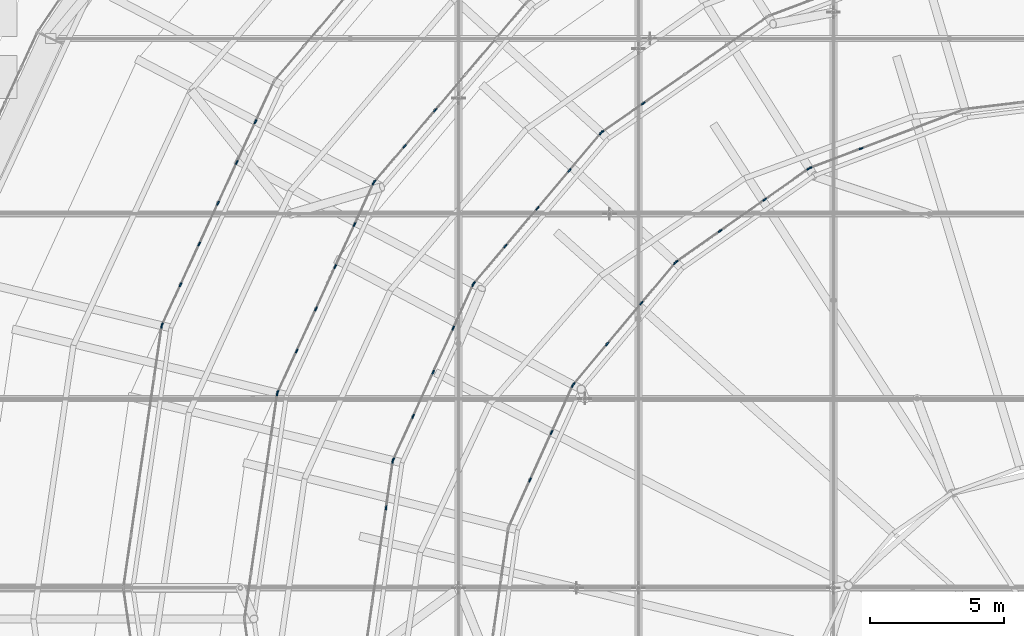
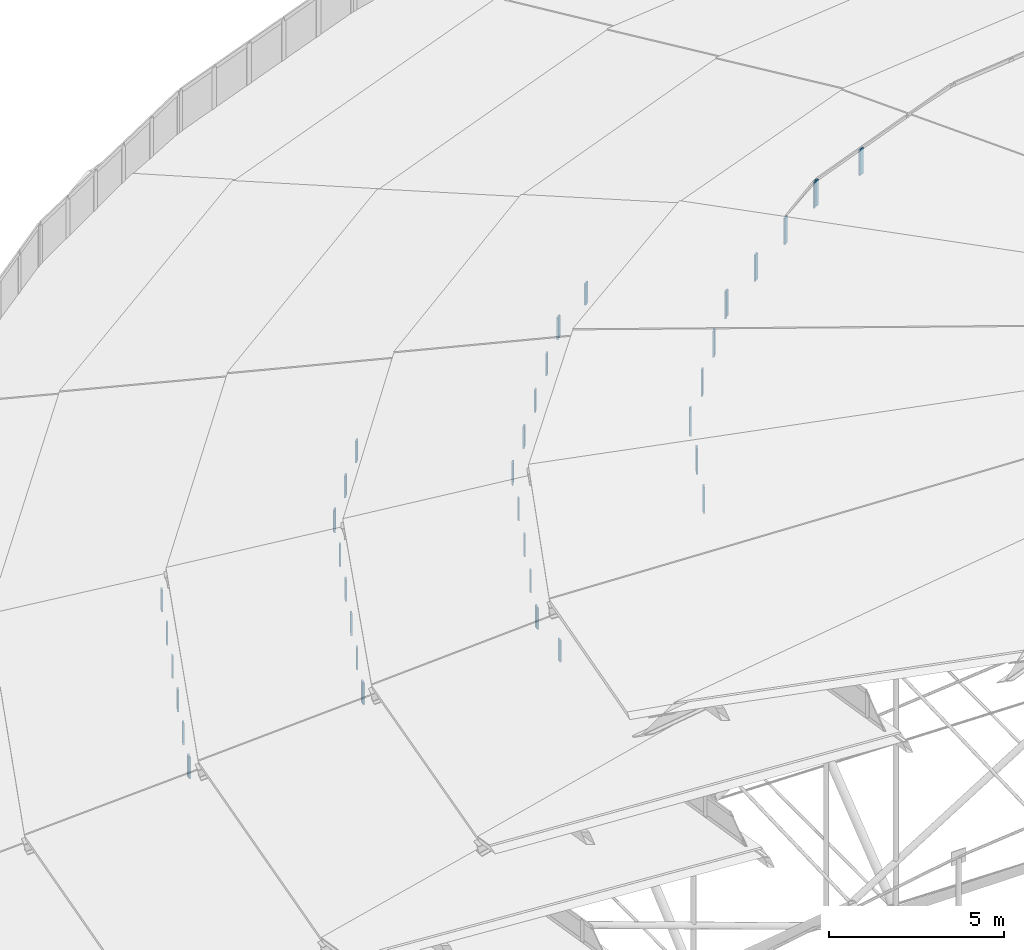
# One storey, part 130 of 173: 44 members, 13 elements without a shape of their own.
"""IFC4 building model written with IfcOpenShell, lengths in metres."""

from ifc_helpers import new_model, si_unit, direction, frame, origin, origin_2d, place, context, subcontext, project, spatial, rectangle, extrude, material, material_profile, profile_set, type_object, element, aggregate, save


model = new_model("IFC4")

# Units and contexts
model_context = context("Model", 3, precision=1e-05, world=origin(), true_north=direction((0.0, 1.0)))
body_context = subcontext(model_context, "Body", "Model", "MODEL_VIEW")
ifc_project = project(units=[si_unit("LENGTHUNIT", "METRE"), si_unit("AREAUNIT", "SQUARE_METRE"), si_unit("VOLUMEUNIT", "CUBIC_METRE"), si_unit("PLANEANGLEUNIT", "RADIAN"), si_unit("MASSUNIT", "GRAM", prefix="KILO")], contexts=[model_context])

# Site, building, storey
site_placement = place(None, origin())
site = spatial("IfcSite", under=ifc_project, at=site_placement, CompositionType="ELEMENT")
building_placement = place(site_placement, origin())
building = spatial("IfcBuilding", under=site, at=building_placement, Name="Glasvene Arena", CompositionType="ELEMENT")
storey_placement = place(building_placement, frame((0.0, 0.0, 28.800048828125)))
storey = spatial("IfcBuildingStorey", under=building, at=storey_placement, Name="RF", CompositionType="ELEMENT", Elevation=28.800048828125)

# Curtain wall, members
ifc_material_1 = material(Name="Low-emissivity laminated double glazing", Category="glass")
curtain_wall_type_1 = type_object("IfcCurtainWallType", Name="CW-PET1-1001x75", PredefinedType="USERDEFINED", material=ifc_material_1)
curtain_wall_1_placement = place(storey_placement, frame((55.7568359375, 91.85009765625, 0.0)))
curtain_wall_1 = element("IfcCurtainWall", 1, at=curtain_wall_1_placement, inside=storey, type_object=curtain_wall_type_1, Name="Petal ring 1-2 clerestory curtain wall 11", ObjectType="CURTAIN WALL", PredefinedType="USERDEFINED")
ifc_material_2 = material(Name="Anodised architectural aluminium", Category="aluminium")
ifc_material_profile = material_profile(ifc_material_2, rectangle(XDim=0.050048828125, YDim=0.159912109375, at=origin_2d()), Name="ALU MULLION 50x160")
ifc_profile_set = profile_set([ifc_material_profile], Name="Anodised architectural aluminium")
member_type = type_object("IfcMemberType", Name="CW-MUL-150", PredefinedType="MULLION", material=ifc_profile_set)
member_1_placement = place(storey_placement, frame((55.06005859375, 90.33447265625, 2.579833984375), z_axis=(0.0, 0.0, 1.0), x_axis=(0.908556831634, -0.41776127596, 0.0)))
member_1 = element("IfcMember", 2, at=member_1_placement, type_object=member_type, Name="CW-082 mullion 2", PredefinedType="MULLION", context=body_context, shape_type="SweptSolid", body=[
    extrude(rectangle(XDim=0.050048828125, YDim=0.159912109375, at=origin_2d()), origin(), (0.0, 0.0, 1.0), 0.75),
])
member_2_placement = place(storey_placement, frame((54.36328125, 88.819091796875, 2.579833984375), z_axis=(0.0, 0.0, 1.0), x_axis=(0.908556831634, -0.41776127596, 0.0)))
member_2 = element("IfcMember", 3, at=member_2_placement, type_object=member_type, Name="CW-082 mullion 3", PredefinedType="MULLION", context=body_context, shape_type="SweptSolid", body=[
    extrude(rectangle(XDim=0.050048828125, YDim=0.159912109375, at=origin_2d()), origin(), (0.0, 0.0, 1.0), 0.75),
])
member_3_placement = place(storey_placement, frame((53.66650390625, 87.3037109375, 2.579833984375), z_axis=(0.0, 0.0, 1.0), x_axis=(0.908556831634, -0.41776127596, 0.0)))
member_3 = element("IfcMember", 4, at=member_3_placement, type_object=member_type, Name="CW-082 mullion 4", PredefinedType="MULLION", context=body_context, shape_type="SweptSolid", body=[
    extrude(rectangle(XDim=0.050048828125, YDim=0.159912109375, at=origin_2d()), origin(), (0.0, 0.0, 1.0), 0.75),
])
member_4_placement = place(storey_placement, frame((52.969482421875, 85.788330078125, 2.579833984375), z_axis=(0.0, 0.0, 1.0), x_axis=(0.908556831634, -0.41776127596, 0.0)))
member_4 = element("IfcMember", 5, at=member_4_placement, type_object=member_type, Name="CW-082 mullion 5", PredefinedType="MULLION", context=body_context, shape_type="SweptSolid", body=[
    extrude(rectangle(XDim=0.050048828125, YDim=0.159912109375, at=origin_2d()), origin(), (0.0, 0.0, 1.0), 0.75),
])
member_5_placement = place(storey_placement, frame((52.272705078125, 84.27294921875, 2.579833984375), z_axis=(0.0, 0.0, 1.0), x_axis=(0.908556831634, -0.41776127596, 0.0)))
member_5 = element("IfcMember", 6, at=member_5_placement, type_object=member_type, Name="CW-082 mullion 6", PredefinedType="MULLION", context=body_context, shape_type="SweptSolid", body=[
    extrude(rectangle(XDim=0.050048828125, YDim=0.159912109375, at=origin_2d()), origin(), (0.0, 0.0, 1.0), 0.75),
])
member_6_placement = place(storey_placement, frame((51.58642578125, 82.7802734375, 2.579833984375), z_axis=(0.0, 0.0, 1.0), x_axis=(0.908556831634, -0.41776127596, 0.0)))
member_6 = element("IfcMember", 7, at=member_6_placement, type_object=member_type, Name="CW-082 mullion 7", PredefinedType="MULLION", context=body_context, shape_type="SweptSolid", body=[
    extrude(rectangle(XDim=0.050048828125, YDim=0.159912109375, at=origin_2d()), origin(), (0.0, 0.0, 1.0), 0.75),
])
aggregate(curtain_wall_1, [member_1, member_2, member_3, member_4, member_5, member_6])

# Curtain wall, member
curtain_wall_type_2 = type_object("IfcCurtainWallType", Name="CW-PET1-986x75", PredefinedType="USERDEFINED", material=ifc_material_1)
curtain_wall_2_placement = place(storey_placement, frame((51.575927734375, 82.757568359375, 0.0)))
curtain_wall_2 = element("IfcCurtainWall", 8, at=curtain_wall_2_placement, inside=storey, type_object=curtain_wall_type_2, Name="Petal ring 1-2 clerestory curtain wall 12", ObjectType="CURTAIN WALL", PredefinedType="USERDEFINED")
member_7_placement = place(storey_placement, frame((51.572265625, 82.732666015625, 2.579833984375), z_axis=(0.0, 0.0, 1.0), x_axis=(0.989489040641, -0.144607878249, 0.0)))
member_7 = element("IfcMember", 9, at=member_7_placement, type_object=member_type, Name="CW-081 mullion 1", PredefinedType="MULLION", context=body_context, shape_type="SweptSolid", body=[
    extrude(rectangle(XDim=0.050048828125, YDim=0.159912109375, at=origin_2d()), origin(), (0.0, 0.0, 1.0), 0.75),
])
aggregate(curtain_wall_2, [member_7])

# Curtain wall, members
curtain_wall_type_3 = type_object("IfcCurtainWallType", Name="CW-PET2-882x75", PredefinedType="USERDEFINED", material=ifc_material_1)
curtain_wall_3_placement = place(storey_placement, frame((65.164794921875, 94.795654296875, 0.0)))
curtain_wall_3 = element("IfcCurtainWall", 10, at=curtain_wall_3_placement, inside=storey, type_object=curtain_wall_type_3, Name="Petal ring 2-3 clerestory curtain wall 10", ObjectType="CURTAIN WALL", PredefinedType="USERDEFINED")
member_8_placement = place(storey_placement, frame((61.74169921875, 90.76318359375, 5.179931640625), z_axis=(0.0, 0.0, 1.0), x_axis=(0.762348353305, -0.647166893632, 0.0)))
member_8 = element("IfcMember", 11, at=member_8_placement, type_object=member_type, Name="CW-089 mullion 4", PredefinedType="MULLION", context=body_context, shape_type="SweptSolid", body=[
    extrude(rectangle(XDim=0.050048828125, YDim=0.159912109375, at=origin_2d()), origin(), (0.0, 0.0, 1.0), 0.75),
])
member_9_placement = place(storey_placement, frame((60.600830078125, 89.419189453125, 5.179931640625), z_axis=(0.0, 0.0, 1.0), x_axis=(0.762348353305, -0.647166893632, 0.0)))
member_9 = element("IfcMember", 12, at=member_9_placement, type_object=member_type, Name="CW-089 mullion 5", PredefinedType="MULLION", context=body_context, shape_type="SweptSolid", body=[
    extrude(rectangle(XDim=0.050048828125, YDim=0.159912109375, at=origin_2d()), origin(), (0.0, 0.0, 1.0), 0.75),
])
member_10_placement = place(storey_placement, frame((59.475830078125, 88.093994140625, 5.179931640625), z_axis=(0.0, 0.0, 1.0), x_axis=(0.762348353305, -0.647166893632, 0.0)))
member_10 = element("IfcMember", 13, at=member_10_placement, type_object=member_type, Name="CW-089 mullion 6", PredefinedType="MULLION", context=body_context, shape_type="SweptSolid", body=[
    extrude(rectangle(XDim=0.050048828125, YDim=0.159912109375, at=origin_2d()), origin(), (0.0, 0.0, 1.0), 0.75),
])
aggregate(curtain_wall_3, [member_8, member_9, member_10])

curtain_wall_type_4 = type_object("IfcCurtainWallType", Name="CW-PET2-861x75", PredefinedType="USERDEFINED", material=ifc_material_1)
curtain_wall_4_placement = place(storey_placement, frame((59.459716796875, 88.074951171875, 0.0)))
curtain_wall_4 = element("IfcCurtainWall", 14, at=curtain_wall_4_placement, inside=storey, type_object=curtain_wall_type_4, Name="Petal ring 2-3 clerestory curtain wall 11", ObjectType="CURTAIN WALL", PredefinedType="USERDEFINED")
member_11_placement = place(storey_placement, frame((59.44921875, 88.05224609375, 5.179931640625), z_axis=(0.0, 0.0, 1.0), x_axis=(0.909093602111, -0.416591913749, 0.0)))
member_11 = element("IfcMember", 15, at=member_11_placement, type_object=member_type, Name="CW-088 mullion 1", PredefinedType="MULLION", context=body_context, shape_type="SweptSolid", body=[
    extrude(rectangle(XDim=0.050048828125, YDim=0.159912109375, at=origin_2d()), origin(), (0.0, 0.0, 1.0), 0.75),
])
member_12_placement = place(storey_placement, frame((58.742431640625, 86.509765625, 5.179931640625), z_axis=(0.0, 0.0, 1.0), x_axis=(0.909093602111, -0.416591913749, 0.0)))
member_12 = element("IfcMember", 16, at=member_12_placement, type_object=member_type, Name="CW-088 mullion 2", PredefinedType="MULLION", context=body_context, shape_type="SweptSolid", body=[
    extrude(rectangle(XDim=0.050048828125, YDim=0.159912109375, at=origin_2d()), origin(), (0.0, 0.0, 1.0), 0.75),
])
member_13_placement = place(storey_placement, frame((58.025146484375, 84.944580078125, 5.179931640625), z_axis=(0.0, 0.0, 1.0), x_axis=(0.909093602111, -0.416591913749, 0.0)))
member_13 = element("IfcMember", 17, at=member_13_placement, type_object=member_type, Name="CW-088 mullion 3", PredefinedType="MULLION", context=body_context, shape_type="SweptSolid", body=[
    extrude(rectangle(XDim=0.050048828125, YDim=0.159912109375, at=origin_2d()), origin(), (0.0, 0.0, 1.0), 0.75),
])
member_14_placement = place(storey_placement, frame((57.307861328125, 83.379150390625, 5.179931640625), z_axis=(0.0, 0.0, 1.0), x_axis=(0.909093602111, -0.416591913749, 0.0)))
member_14 = element("IfcMember", 18, at=member_14_placement, type_object=member_type, Name="CW-088 mullion 4", PredefinedType="MULLION", context=body_context, shape_type="SweptSolid", body=[
    extrude(rectangle(XDim=0.050048828125, YDim=0.159912109375, at=origin_2d()), origin(), (0.0, 0.0, 1.0), 0.75),
])
member_15_placement = place(storey_placement, frame((56.590576171875, 81.81396484375, 5.179931640625), z_axis=(0.0, 0.0, 1.0), x_axis=(0.909093602111, -0.416591913749, 0.0)))
member_15 = element("IfcMember", 19, at=member_15_placement, type_object=member_type, Name="CW-088 mullion 5", PredefinedType="MULLION", context=body_context, shape_type="SweptSolid", body=[
    extrude(rectangle(XDim=0.050048828125, YDim=0.159912109375, at=origin_2d()), origin(), (0.0, 0.0, 1.0), 0.75),
])
member_16_placement = place(storey_placement, frame((55.8837890625, 80.271484375, 5.179931640625), z_axis=(0.0, 0.0, 1.0), x_axis=(0.909093602111, -0.416591913749, 0.0)))
member_16 = element("IfcMember", 20, at=member_16_placement, type_object=member_type, Name="CW-088 mullion 6", PredefinedType="MULLION", context=body_context, shape_type="SweptSolid", body=[
    extrude(rectangle(XDim=0.050048828125, YDim=0.159912109375, at=origin_2d()), origin(), (0.0, 0.0, 1.0), 0.75),
])
aggregate(curtain_wall_4, [member_11, member_12, member_13, member_14, member_15, member_16])

# Curtain wall, member
curtain_wall_type_5 = type_object("IfcCurtainWallType", Name="CW-PET2-849x75", PredefinedType="USERDEFINED", material=ifc_material_1)
curtain_wall_5_placement = place(storey_placement, frame((55.873291015625, 80.248779296875, 0.0)))
curtain_wall_5 = element("IfcCurtainWall", 21, at=curtain_wall_5_placement, inside=storey, type_object=curtain_wall_type_5, Name="Petal ring 2-3 clerestory curtain wall 12", ObjectType="CURTAIN WALL", PredefinedType="USERDEFINED")
member_17_placement = place(storey_placement, frame((55.86962890625, 80.223876953125, 5.179931640625), z_axis=(0.0, 0.0, 1.0), x_axis=(0.98955837799, -0.144132635268, 0.0)))
member_17 = element("IfcMember", 22, at=member_17_placement, type_object=member_type, Name="CW-087 mullion 1", PredefinedType="MULLION", context=body_context, shape_type="SweptSolid", body=[
    extrude(rectangle(XDim=0.050048828125, YDim=0.159912109375, at=origin_2d()), origin(), (0.0, 0.0, 1.0), 0.75),
])
aggregate(curtain_wall_5, [member_17])

# Curtain wall, members
curtain_wall_type_6 = type_object("IfcCurtainWallType", Name="CW-PET3-756x75", PredefinedType="USERDEFINED", material=ifc_material_1)
curtain_wall_6_placement = place(storey_placement, frame((74.125, 94.255859375, 0.0)))
curtain_wall_6 = element("IfcCurtainWall", 23, at=curtain_wall_6_placement, inside=storey, type_object=curtain_wall_type_6, Name="Petal ring 3-4 clerestory curtain wall 09", ObjectType="CURTAIN WALL", PredefinedType="USERDEFINED")
member_18_placement = place(storey_placement, frame((69.472900390625, 91.013916015625, 7.829833984375), z_axis=(0.0, 0.0, 1.0), x_axis=(0.571742483725, -0.82043313701, 0.0)))
member_18 = element("IfcMember", 24, at=member_18_placement, type_object=member_type, Name="CW-096 mullion 4", PredefinedType="MULLION", context=body_context, shape_type="SweptSolid", body=[
    extrude(rectangle(XDim=0.050048828125, YDim=0.159912109375, at=origin_2d()), origin(), (0.0, 0.0, 1.0), 0.75),
])
member_19_placement = place(storey_placement, frame((67.942626953125, 89.947509765625, 7.829833984375), z_axis=(0.0, 0.0, 1.0), x_axis=(0.571742483725, -0.82043313701, 0.0)))
member_19 = element("IfcMember", 25, at=member_19_placement, type_object=member_type, Name="CW-096 mullion 5", PredefinedType="MULLION", context=body_context, shape_type="SweptSolid", body=[
    extrude(rectangle(XDim=0.050048828125, YDim=0.159912109375, at=origin_2d()), origin(), (0.0, 0.0, 1.0), 0.75),
])
aggregate(curtain_wall_6, [member_18, member_19])

curtain_wall_type_7 = type_object("IfcCurtainWallType", Name="CW-PET3-737x75", PredefinedType="USERDEFINED", material=ifc_material_1)
curtain_wall_7_placement = place(storey_placement, frame((67.922119140625, 89.933349609375, 0.0)))
curtain_wall_7 = element("IfcCurtainWall", 26, at=curtain_wall_7_placement, inside=storey, type_object=curtain_wall_type_7, Name="Petal ring 3-4 clerestory curtain wall 10", ObjectType="CURTAIN WALL", PredefinedType="USERDEFINED")
member_20_placement = place(storey_placement, frame((67.906005859375, 89.914306640625, 7.829833984375), z_axis=(0.0, 0.0, 1.0), x_axis=(0.763850012044, -0.645393801566, 0.0)))
member_20 = element("IfcMember", 27, at=member_20_placement, type_object=member_type, Name="CW-095 mullion 1", PredefinedType="MULLION", context=body_context, shape_type="SweptSolid", body=[
    extrude(rectangle(XDim=0.050048828125, YDim=0.159912109375, at=origin_2d()), origin(), (0.0, 0.0, 1.0), 0.75),
])
member_21_placement = place(storey_placement, frame((66.732177734375, 88.52490234375, 7.829833984375), z_axis=(0.0, 0.0, 1.0), x_axis=(0.763850012044, -0.645393801566, 0.0)))
member_21 = element("IfcMember", 28, at=member_21_placement, type_object=member_type, Name="CW-095 mullion 2", PredefinedType="MULLION", context=body_context, shape_type="SweptSolid", body=[
    extrude(rectangle(XDim=0.050048828125, YDim=0.159912109375, at=origin_2d()), origin(), (0.0, 0.0, 1.0), 0.75),
])
member_22_placement = place(storey_placement, frame((65.542236328125, 87.11669921875, 7.829833984375), z_axis=(0.0, 0.0, 1.0), x_axis=(0.763850012044, -0.645393801566, 0.0)))
member_22 = element("IfcMember", 29, at=member_22_placement, type_object=member_type, Name="CW-095 mullion 3", PredefinedType="MULLION", context=body_context, shape_type="SweptSolid", body=[
    extrude(rectangle(XDim=0.050048828125, YDim=0.159912109375, at=origin_2d()), origin(), (0.0, 0.0, 1.0), 0.75),
])
member_23_placement = place(storey_placement, frame((64.3525390625, 85.708251953125, 7.829833984375), z_axis=(0.0, 0.0, 1.0), x_axis=(0.763850012044, -0.645393801566, 0.0)))
member_23 = element("IfcMember", 30, at=member_23_placement, type_object=member_type, Name="CW-095 mullion 4", PredefinedType="MULLION", context=body_context, shape_type="SweptSolid", body=[
    extrude(rectangle(XDim=0.050048828125, YDim=0.159912109375, at=origin_2d()), origin(), (0.0, 0.0, 1.0), 0.75),
])
member_24_placement = place(storey_placement, frame((63.1787109375, 84.319091796875, 7.829833984375), z_axis=(0.0, 0.0, 1.0), x_axis=(0.763850012044, -0.645393801566, 0.0)))
member_24 = element("IfcMember", 31, at=member_24_placement, type_object=member_type, Name="CW-095 mullion 5", PredefinedType="MULLION", context=body_context, shape_type="SweptSolid", body=[
    extrude(rectangle(XDim=0.050048828125, YDim=0.159912109375, at=origin_2d()), origin(), (0.0, 0.0, 1.0), 0.75),
])
aggregate(curtain_wall_7, [member_20, member_21, member_22, member_23, member_24])

curtain_wall_type_8 = type_object("IfcCurtainWallType", Name="CW-PET3-721x75", PredefinedType="USERDEFINED", material=ifc_material_1)
curtain_wall_8_placement = place(storey_placement, frame((63.16259765625, 84.300048828125, 0.0)))
curtain_wall_8 = element("IfcCurtainWall", 32, at=curtain_wall_8_placement, inside=storey, type_object=curtain_wall_type_8, Name="Petal ring 3-4 clerestory curtain wall 11", ObjectType="CURTAIN WALL", PredefinedType="USERDEFINED")
member_25_placement = place(storey_placement, frame((63.152099609375, 84.27734375, 7.829833984375), z_axis=(0.0, 0.0, 1.0), x_axis=(0.909836135842, -0.414967716717, 0.0)))
member_25 = element("IfcMember", 33, at=member_25_placement, type_object=member_type, Name="CW-094 mullion 1", PredefinedType="MULLION", context=body_context, shape_type="SweptSolid", body=[
    extrude(rectangle(XDim=0.050048828125, YDim=0.159912109375, at=origin_2d()), origin(), (0.0, 0.0, 1.0), 0.75),
])
member_26_placement = place(storey_placement, frame((62.41455078125, 82.659912109375, 7.829833984375), z_axis=(0.0, 0.0, 1.0), x_axis=(0.909836135842, -0.414967716717, 0.0)))
member_26 = element("IfcMember", 34, at=member_26_placement, type_object=member_type, Name="CW-094 mullion 2", PredefinedType="MULLION", context=body_context, shape_type="SweptSolid", body=[
    extrude(rectangle(XDim=0.050048828125, YDim=0.159912109375, at=origin_2d()), origin(), (0.0, 0.0, 1.0), 0.75),
])
member_27_placement = place(storey_placement, frame((61.66650390625, 81.02001953125, 7.829833984375), z_axis=(0.0, 0.0, 1.0), x_axis=(0.909836135842, -0.414967716717, 0.0)))
member_27 = element("IfcMember", 35, at=member_27_placement, type_object=member_type, Name="CW-094 mullion 3", PredefinedType="MULLION", context=body_context, shape_type="SweptSolid", body=[
    extrude(rectangle(XDim=0.050048828125, YDim=0.159912109375, at=origin_2d()), origin(), (0.0, 0.0, 1.0), 0.75),
])
member_28_placement = place(storey_placement, frame((60.91845703125, 79.3798828125, 7.829833984375), z_axis=(0.0, 0.0, 1.0), x_axis=(0.909836135842, -0.414967716717, 0.0)))
member_28 = element("IfcMember", 36, at=member_28_placement, type_object=member_type, Name="CW-094 mullion 4", PredefinedType="MULLION", context=body_context, shape_type="SweptSolid", body=[
    extrude(rectangle(XDim=0.050048828125, YDim=0.159912109375, at=origin_2d()), origin(), (0.0, 0.0, 1.0), 0.75),
])
member_29_placement = place(storey_placement, frame((60.180908203125, 77.7626953125, 7.829833984375), z_axis=(0.0, 0.0, 1.0), x_axis=(0.909836135842, -0.414967716717, 0.0)))
member_29 = element("IfcMember", 37, at=member_29_placement, type_object=member_type, Name="CW-094 mullion 5", PredefinedType="MULLION", context=body_context, shape_type="SweptSolid", body=[
    extrude(rectangle(XDim=0.050048828125, YDim=0.159912109375, at=origin_2d()), origin(), (0.0, 0.0, 1.0), 0.75),
])
aggregate(curtain_wall_8, [member_25, member_26, member_27, member_28, member_29])

curtain_wall_type_9 = type_object("IfcCurtainWallType", Name="CW-PET3-711x75", PredefinedType="USERDEFINED", material=ifc_material_1)
curtain_wall_9_placement = place(storey_placement, frame((60.17041015625, 77.739990234375, 0.0)))
curtain_wall_9 = element("IfcCurtainWall", 38, at=curtain_wall_9_placement, inside=storey, type_object=curtain_wall_type_9, Name="Petal ring 3-4 clerestory curtain wall 12", ObjectType="CURTAIN WALL", PredefinedType="USERDEFINED")
member_30_placement = place(storey_placement, frame((60.1669921875, 77.715087890625, 7.829833984375), z_axis=(0.0, 0.0, 1.0), x_axis=(0.989656115979, -0.143460001758, 0.0)))
member_30 = element("IfcMember", 39, at=member_30_placement, type_object=member_type, Name="CW-093 mullion 1", PredefinedType="MULLION", context=body_context, shape_type="SweptSolid", body=[
    extrude(rectangle(XDim=0.050048828125, YDim=0.159912109375, at=origin_2d()), origin(), (0.0, 0.0, 1.0), 0.75),
])
member_31_placement = place(storey_placement, frame((59.915283203125, 75.97998046875, 7.829833984375), z_axis=(0.0, 0.0, 1.0), x_axis=(0.989656115979, -0.143460001758, 0.0)))
member_31 = element("IfcMember", 40, at=member_31_placement, type_object=member_type, Name="CW-093 mullion 2", PredefinedType="MULLION", context=body_context, shape_type="SweptSolid", body=[
    extrude(rectangle(XDim=0.050048828125, YDim=0.159912109375, at=origin_2d()), origin(), (0.0, 0.0, 1.0), 0.75),
])
aggregate(curtain_wall_9, [member_30, member_31])

curtain_wall_type_10 = type_object("IfcCurtainWallType", Name="CW-PET4-619x92", PredefinedType="USERDEFINED", material=ifc_material_1)
curtain_wall_10_placement = place(storey_placement, frame((81.438232421875, 90.80029296875, 0.0)))
curtain_wall_10 = element("IfcCurtainWall", 41, at=curtain_wall_10_placement, inside=storey, type_object=curtain_wall_type_10, Name="Petal ring 4-5 clerestory curtain wall 08", ObjectType="CURTAIN WALL", PredefinedType="USERDEFINED")
member_32_placement = place(storey_placement, frame((77.579345703125, 89.335205078125, 10.530029296875), z_axis=(0.0, 0.0, 1.0), x_axis=(0.354970202415, -0.934877615197, 0.0)))
member_32 = element("IfcMember", 42, at=member_32_placement, type_object=member_type, Name="CW-103 mullion 3", PredefinedType="MULLION", context=body_context, shape_type="SweptSolid", body=[
    extrude(rectangle(XDim=0.050048828125, YDim=0.159912109375, at=origin_2d()), origin(), (0.0, 0.0, 1.0), 0.916015625),
])
member_33_placement = place(storey_placement, frame((75.67333984375, 88.611572265625, 10.530029296875), z_axis=(0.0, 0.0, 1.0), x_axis=(0.354970202415, -0.934877615197, 0.0)))
member_33 = element("IfcMember", 43, at=member_33_placement, type_object=member_type, Name="CW-103 mullion 4", PredefinedType="MULLION", context=body_context, shape_type="SweptSolid", body=[
    extrude(rectangle(XDim=0.050048828125, YDim=0.159912109375, at=origin_2d()), origin(), (0.0, 0.0, 1.0), 0.916015625),
])
aggregate(curtain_wall_10, [member_32, member_33])

curtain_wall_type_11 = type_object("IfcCurtainWallType", Name="CW-PET4-608x92", PredefinedType="USERDEFINED", material=ifc_material_1)
curtain_wall_11_placement = place(storey_placement, frame((75.64990234375, 88.6025390625, 0.0)))
curtain_wall_11 = element("IfcCurtainWall", 44, at=curtain_wall_11_placement, inside=storey, type_object=curtain_wall_type_11, Name="Petal ring 4-5 clerestory curtain wall 09", ObjectType="CURTAIN WALL", PredefinedType="USERDEFINED")
member_34_placement = place(storey_placement, frame((75.629638671875, 88.588134765625, 10.530029296875), z_axis=(0.0, 0.0, 1.0), x_axis=(0.575325052204, -0.817924864707, 0.0)))
member_34 = element("IfcMember", 45, at=member_34_placement, type_object=member_type, Name="CW-102 mullion 1", PredefinedType="MULLION", context=body_context, shape_type="SweptSolid", body=[
    extrude(rectangle(XDim=0.050048828125, YDim=0.159912109375, at=origin_2d()), origin(), (0.0, 0.0, 1.0), 0.916015625),
])
member_35_placement = place(storey_placement, frame((73.9931640625, 87.437255859375, 10.530029296875), z_axis=(0.0, 0.0, 1.0), x_axis=(0.575325052204, -0.817924864707, 0.0)))
member_35 = element("IfcMember", 46, at=member_35_placement, type_object=member_type, Name="CW-102 mullion 2", PredefinedType="MULLION", context=body_context, shape_type="SweptSolid", body=[
    extrude(rectangle(XDim=0.050048828125, YDim=0.159912109375, at=origin_2d()), origin(), (0.0, 0.0, 1.0), 0.916015625),
])
member_36_placement = place(storey_placement, frame((72.336181640625, 86.271728515625, 10.530029296875), z_axis=(0.0, 0.0, 1.0), x_axis=(0.575325052204, -0.817924864707, 0.0)))
member_36 = element("IfcMember", 47, at=member_36_placement, type_object=member_type, Name="CW-102 mullion 3", PredefinedType="MULLION", context=body_context, shape_type="SweptSolid", body=[
    extrude(rectangle(XDim=0.050048828125, YDim=0.159912109375, at=origin_2d()), origin(), (0.0, 0.0, 1.0), 0.916015625),
])
member_37_placement = place(storey_placement, frame((70.699951171875, 85.12060546875, 10.530029296875), z_axis=(0.0, 0.0, 1.0), x_axis=(0.575325052204, -0.817924864707, 0.0)))
member_37 = element("IfcMember", 48, at=member_37_placement, type_object=member_type, Name="CW-102 mullion 4", PredefinedType="MULLION", context=body_context, shape_type="SweptSolid", body=[
    extrude(rectangle(XDim=0.050048828125, YDim=0.159912109375, at=origin_2d()), origin(), (0.0, 0.0, 1.0), 0.916015625),
])
aggregate(curtain_wall_11, [member_34, member_35, member_36, member_37])

curtain_wall_type_12 = type_object("IfcCurtainWallType", Name="CW-PET4-594x92", PredefinedType="USERDEFINED", material=ifc_material_1)
curtain_wall_12_placement = place(storey_placement, frame((70.679443359375, 85.106201171875, 0.0)))
curtain_wall_12 = element("IfcCurtainWall", 49, at=curtain_wall_12_placement, inside=storey, type_object=curtain_wall_type_12, Name="Petal ring 4-5 clerestory curtain wall 10", ObjectType="CURTAIN WALL", PredefinedType="USERDEFINED")
member_38_placement = place(storey_placement, frame((70.663330078125, 85.087158203125, 10.530029296875), z_axis=(0.0, 0.0, 1.0), x_axis=(0.766805446496, -0.64187958935, 0.0)))
member_38 = element("IfcMember", 50, at=member_38_placement, type_object=member_type, Name="CW-101 mullion 1", PredefinedType="MULLION", context=body_context, shape_type="SweptSolid", body=[
    extrude(rectangle(XDim=0.050048828125, YDim=0.159912109375, at=origin_2d()), origin(), (0.0, 0.0, 1.0), 0.916015625),
])
member_39_placement = place(storey_placement, frame((69.407958984375, 83.587646484375, 10.530029296875), z_axis=(0.0, 0.0, 1.0), x_axis=(0.766805446496, -0.64187958935, 0.0)))
member_39 = element("IfcMember", 51, at=member_39_placement, type_object=member_type, Name="CW-101 mullion 2", PredefinedType="MULLION", context=body_context, shape_type="SweptSolid", body=[
    extrude(rectangle(XDim=0.050048828125, YDim=0.159912109375, at=origin_2d()), origin(), (0.0, 0.0, 1.0), 0.916015625),
])
member_40_placement = place(storey_placement, frame((68.13671875, 82.06884765625, 10.530029296875), z_axis=(0.0, 0.0, 1.0), x_axis=(0.766805446496, -0.64187958935, 0.0)))
member_40 = element("IfcMember", 52, at=member_40_placement, type_object=member_type, Name="CW-101 mullion 3", PredefinedType="MULLION", context=body_context, shape_type="SweptSolid", body=[
    extrude(rectangle(XDim=0.050048828125, YDim=0.159912109375, at=origin_2d()), origin(), (0.0, 0.0, 1.0), 0.916015625),
])
member_41_placement = place(storey_placement, frame((66.88134765625, 80.569091796875, 10.530029296875), z_axis=(0.0, 0.0, 1.0), x_axis=(0.766805446496, -0.64187958935, 0.0)))
member_41 = element("IfcMember", 53, at=member_41_placement, type_object=member_type, Name="CW-101 mullion 4", PredefinedType="MULLION", context=body_context, shape_type="SweptSolid", body=[
    extrude(rectangle(XDim=0.050048828125, YDim=0.159912109375, at=origin_2d()), origin(), (0.0, 0.0, 1.0), 0.916015625),
])
aggregate(curtain_wall_12, [member_38, member_39, member_40, member_41])

curtain_wall_type_13 = type_object("IfcCurtainWallType", Name="CW-PET4-582x92", PredefinedType="USERDEFINED", material=ifc_material_1)
curtain_wall_13_placement = place(storey_placement, frame((66.865478515625, 80.550048828125, 0.0)))
curtain_wall_13 = element("IfcCurtainWall", 54, at=curtain_wall_13_placement, inside=storey, type_object=curtain_wall_type_13, Name="Petal ring 4-5 clerestory curtain wall 11", ObjectType="CURTAIN WALL", PredefinedType="USERDEFINED")
member_42_placement = place(storey_placement, frame((66.855224609375, 80.527099609375, 10.530029296875), z_axis=(0.0, 0.0, 1.0), x_axis=(0.911284127649, -0.411778142566, 0.0)))
member_42 = element("IfcMember", 55, at=member_42_placement, type_object=member_type, Name="CW-100 mullion 1", PredefinedType="MULLION", context=body_context, shape_type="SweptSolid", body=[
    extrude(rectangle(XDim=0.050048828125, YDim=0.159912109375, at=origin_2d()), origin(), (0.0, 0.0, 1.0), 0.916015625),
])
member_43_placement = place(storey_placement, frame((66.066162109375, 78.78125, 10.530029296875), z_axis=(0.0, 0.0, 1.0), x_axis=(0.911284127649, -0.411778142566, 0.0)))
member_43 = element("IfcMember", 56, at=member_43_placement, type_object=member_type, Name="CW-100 mullion 2", PredefinedType="MULLION", context=body_context, shape_type="SweptSolid", body=[
    extrude(rectangle(XDim=0.050048828125, YDim=0.159912109375, at=origin_2d()), origin(), (0.0, 0.0, 1.0), 0.916015625),
])
member_44_placement = place(storey_placement, frame((65.26708984375, 77.0126953125, 10.530029296875), z_axis=(0.0, 0.0, 1.0), x_axis=(0.911284127649, -0.411778142566, 0.0)))
member_44 = element("IfcMember", 57, at=member_44_placement, type_object=member_type, Name="CW-100 mullion 3", PredefinedType="MULLION", context=body_context, shape_type="SweptSolid", body=[
    extrude(rectangle(XDim=0.050048828125, YDim=0.159912109375, at=origin_2d()), origin(), (0.0, 0.0, 1.0), 0.916015625),
])
aggregate(curtain_wall_13, [member_42, member_43, member_44])

save(model, "model.ifc")
